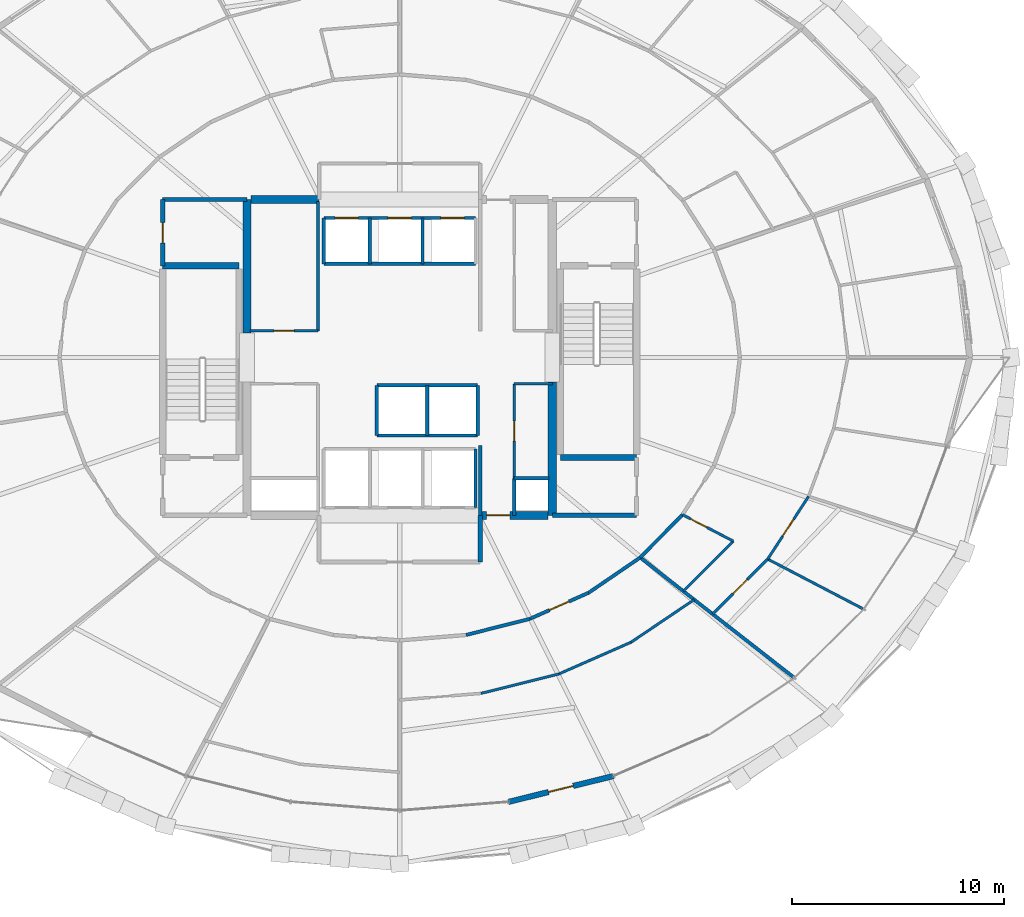
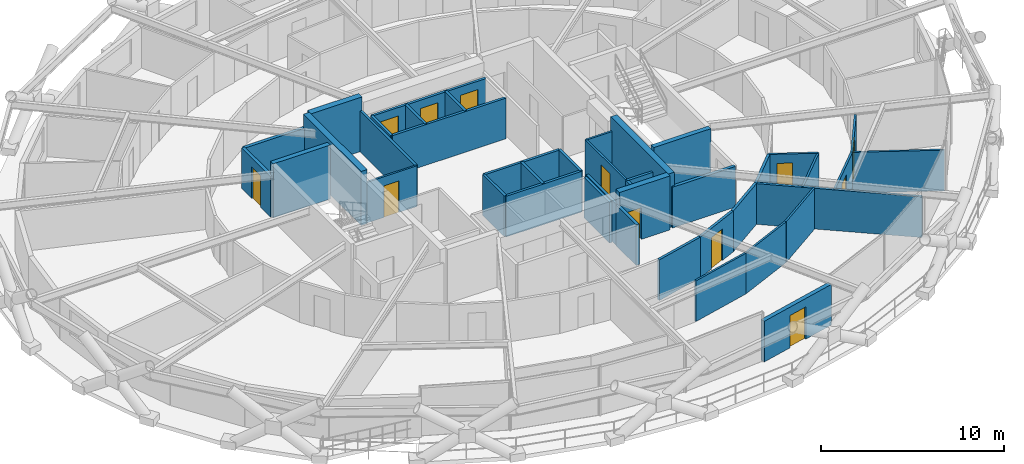
# One storey, part 15 of 21: 42 walls, 12 doors, 12 openings.
"""IFC4 building model written with IfcOpenShell, lengths in metres."""

import ifcopenshell
import ifcopenshell.guid

model = None  # the IFC model being written
_history = None  # IfcOwnerHistory: only IFC2X3 demands one
_inside = {}  # id of a spatial element -> (the spatial element, [elements in it])
_under = {}  # id of a project, library or spatial element -> (it, [spatial elements below it])
_declared = {}  # id of a project -> (the project, [libraries it declares])
_typed = {}  # id of a type object -> (the type object, [elements of that type])
_made_of = {}  # id of a material, layer set ... -> (it, [elements and type objects made of it])


def new_model(schema):
    """Start an empty IFC model of exactly this schema.

    Asked for "IFC4X3", IfcOpenShell would pick the latest addendum, in which some entities
    have other attributes; the version numbers below select the first issue.
    IFC2X3 requires an IfcOwnerHistory on every rooted entity: one is made here for all.
    """
    global model, _history
    if schema == "IFC4X3":
        model = ifcopenshell.file(schema_version=(4, 3, 0, 0))
    else:
        model = ifcopenshell.file(schema=schema)
    _inside.clear()
    _under.clear()
    _declared.clear()
    _typed.clear()
    _made_of.clear()
    _history = None
    if model.schema == "IFC2X3":
        org = make("IfcOrganization", Name="unknown")
        user = make(
            "IfcPersonAndOrganization",
            ThePerson=make("IfcPerson", FamilyName="unknown"),
            TheOrganization=org,
        )
        app = make(
            "IfcApplication",
            ApplicationDeveloper=org,
            Version="unknown",
            ApplicationFullName="unknown",
            ApplicationIdentifier="unknown",
        )
        _history = make(
            "IfcOwnerHistory",
            OwningUser=user,
            OwningApplication=app,
            ChangeAction="ADDED",
            CreationDate=0,
        )
    return model


def make(cls, **values):
    """One entity of the class cls with the attributes given. An attribute that is None is left unset."""
    return model.create_entity(
        cls, **{name: value for name, value in values.items() if value is not None}
    )


def rooted(cls, **values):
    """An entity with a GlobalId (a new one), such as an element, a storey or a relation."""
    return make(cls, GlobalId=ifcopenshell.guid.new(), OwnerHistory=_history, **values)


def si_unit(unit_type, name, prefix=None):
    """IfcSIUnit, for example si_unit("LENGTHUNIT", "METRE", prefix="MILLI")."""
    return make("IfcSIUnit", UnitType=unit_type, Prefix=prefix, Name=name)


def assignment(units):
    """IfcUnitAssignment: the units of a project."""
    return None if units is None else make("IfcUnitAssignment", Units=units)


def point(xyz):
    """IfcCartesianPoint."""
    return None if xyz is None else make("IfcCartesianPoint", Coordinates=xyz)


def direction(xyz):
    """IfcDirection."""
    return None if xyz is None else make("IfcDirection", DirectionRatios=xyz)


def frame(location, z_axis=None, x_axis=None):
    """IfcAxis2Placement3D, a coordinate frame: its origin and axes. An axis left out is left unset."""
    return make(
        "IfcAxis2Placement3D",
        Location=point(location),
        Axis=direction(z_axis),
        RefDirection=direction(x_axis),
    )


def frame_2d(location, x_axis=None):
    """IfcAxis2Placement2D, a coordinate frame in the plane: its origin and x axis."""
    return make(
        "IfcAxis2Placement2D", Location=point(location), RefDirection=direction(x_axis)
    )


def origin():
    """The frame at (0, 0, 0) with its axes left unset."""
    return frame((0.0, 0.0, 0.0))


def place(relative_to, where):
    """IfcLocalPlacement: puts the frame where relative to a parent placement (None: the world)."""
    return make(
        "IfcLocalPlacement", PlacementRelTo=relative_to, RelativePlacement=where
    )


def context(
    kind, dimensions, precision=None, world=None, true_north=None, identifier=None
):
    """IfcGeometricRepresentationContext, for example the 3D "Model" context."""
    return make(
        "IfcGeometricRepresentationContext",
        ContextIdentifier=identifier,
        ContextType=kind,
        CoordinateSpaceDimension=dimensions,
        Precision=precision,
        WorldCoordinateSystem=world,
        TrueNorth=true_north,
    )


def subcontext(parent, identifier, kind, view, scale=None):
    """IfcGeometricRepresentationSubContext, for example "Body" below "Model"."""
    return make(
        "IfcGeometricRepresentationSubContext",
        ContextIdentifier=identifier,
        ContextType=kind,
        ParentContext=parent,
        TargetScale=scale,
        TargetView=view,
    )


def project(units=None, contexts=None):
    """IfcProject with its units and contexts."""
    return rooted(
        "IfcProject",
        Name="project",
        RepresentationContexts=contexts,
        UnitsInContext=assignment(units),
    )


def spatial(cls, under=None, at=None, **own):
    """A site, building, storey or space (cls), placed at a placement, below another one or the project."""
    s = rooted(cls, ObjectPlacement=at, **own)
    if under is not None:
        _under.setdefault(under.id(), (under, []))[1].append(s)
    return s


def profile(cls, at=None, kind="AREA", **sizes):
    """A parametric profile (cls). Its sizes go by their IFC names, for example OverallWidth=200.0."""
    return make(cls, ProfileType=kind, Position=at, **sizes)


def rectangle(**sizes):
    """IfcRectangleProfileDef."""
    return profile("IfcRectangleProfileDef", **sizes)


def extrude(swept, where, along, depth):
    """IfcExtrudedAreaSolid: the profile swept, set in the frame where, extruded along a direction by depth."""
    return make(
        "IfcExtrudedAreaSolid",
        SweptArea=swept,
        Position=where,
        ExtrudedDirection=direction(along),
        Depth=depth,
    )


def shape(context_of_items, identifier, shape_type, items):
    """IfcShapeRepresentation: the items that make up one representation, for example the "Body"."""
    return make(
        "IfcShapeRepresentation",
        ContextOfItems=context_of_items,
        RepresentationIdentifier=identifier,
        RepresentationType=shape_type,
        Items=items,
    )


def material(Name=None, Category=None):
    """IfcMaterial."""
    return make("IfcMaterial", Name=Name, Category=Category)


def layer(
    of_material, thickness, ventilated=None, Name=None, Category=None, Priority=None
):
    """IfcMaterialLayer: one layer of a wall or slab, of a material (None: an air gap)."""
    return make(
        "IfcMaterialLayer",
        Material=of_material,
        LayerThickness=thickness,
        IsVentilated=ventilated,
        Name=Name,
        Category=Category,
        Priority=Priority,
    )


def layer_set(layers, Name=None):
    """IfcMaterialLayerSet."""
    return make("IfcMaterialLayerSet", MaterialLayers=layers, LayerSetName=Name)


def made_of(thing, what):
    """Note that an element or type object is made of a material, layer set ...; save() writes the relation."""
    if what is not None:
        _made_of.setdefault(what.id(), (what, []))[1].append(thing)
    return thing


def type_object(cls, material=None, **own):
    """A type object (cls), such as IfcWallType, which elements share."""
    return made_of(rooted(cls, **own), material)


def element(
    cls,
    number,
    at=None,
    inside=None,
    cuts=None,
    type_object=None,
    material=None,
    context=None,
    identifier="Body",
    shape_type=None,
    held_by="IfcProductDefinitionShape",
    body=None,
    shapes=None,
    **own,
):
    """One element of the class cls, such as IfcWall. Its Tag is "e" and its number.

    at: its placement. inside: the storey or other place that contains it. cuts: it is an
    opening in that element (IfcRelVoidsElement). A single representation is given by context,
    identifier, shape_type and body (its items); several are given by shapes. held_by: the class
    of the entity that holds the representations. save() writes the other relations.
    """
    e = rooted(cls, Tag="e%d" % number, ObjectPlacement=at, **own)
    if body is not None:
        shapes = [shape(context, identifier, shape_type, body)]
    if shapes is not None:
        e.Representation = make(held_by, Representations=shapes)
    if inside is not None:
        _inside.setdefault(inside.id(), (inside, []))[1].append(e)
    if cuts is not None:
        rooted(
            "IfcRelVoidsElement", RelatingBuildingElement=cuts, RelatedOpeningElement=e
        )
    if type_object is not None:
        _typed.setdefault(type_object.id(), (type_object, []))[1].append(e)
    return made_of(e, material)


def fill(opening, filler):
    """IfcRelFillsElement: the door or window that sits in an opening."""
    return rooted(
        "IfcRelFillsElement",
        RelatingOpeningElement=opening,
        RelatedBuildingElement=filler,
    )


def aggregate(whole, parts):
    """IfcRelAggregates: a whole, such as a stair, and the parts it consists of."""
    return rooted("IfcRelAggregates", RelatingObject=whole, RelatedObjects=parts)


def save(model, path):
    """Write the relations noted so far, then the file.

    IfcRelAggregates (storeys below a building ...), IfcRelContainedInSpatialStructure (elements
    in a storey), IfcRelDefinesByType, IfcRelAssociatesMaterial and IfcRelDeclares: one each for
    every whole, place, type object, material and project.
    """
    for whole, parts in _under.values():
        aggregate(whole, parts)
    for where, things in _inside.values():
        rooted(
            "IfcRelContainedInSpatialStructure",
            RelatedElements=things,
            RelatingStructure=where,
        )
    for kind, things in _typed.values():
        rooted("IfcRelDefinesByType", RelatedObjects=things, RelatingType=kind)
    for what, things in _made_of.values():
        rooted("IfcRelAssociatesMaterial", RelatedObjects=things, RelatingMaterial=what)
    for by, libraries in _declared.values():
        rooted("IfcRelDeclares", RelatingContext=by, RelatedDefinitions=libraries)
    model.write(path)


model = new_model("IFC4")

# Units and contexts
model_context = context("Model", 3, precision=1e-05, world=origin(), true_north=direction((0.0, 1.0)))
body_context = subcontext(model_context, "Body", "Model", "MODEL_VIEW")
ifc_project = project(units=[si_unit("LENGTHUNIT", "METRE"), si_unit("AREAUNIT", "SQUARE_METRE"), si_unit("VOLUMEUNIT", "CUBIC_METRE"), si_unit("PLANEANGLEUNIT", "RADIAN"), si_unit("MASSUNIT", "GRAM", prefix="KILO")], contexts=[model_context])

# Site, building, storey
site_placement = place(None, origin())
site = spatial("IfcSite", under=ifc_project, at=site_placement, CompositionType="ELEMENT")
building_placement = place(site_placement, origin())
building = spatial("IfcBuilding", under=site, at=building_placement, Name="Veldorina Hangang Commons", CompositionType="ELEMENT")
storey_placement = place(building_placement, frame((0.0, 0.0, 98.800048828125)))
storey = spatial("IfcBuildingStorey", under=building, at=storey_placement, Name="L25", CompositionType="ELEMENT", Elevation=98.800048828125)

# Walls
ifc_material_1 = material(Name="Concrete C70/85", Category="concrete")
ifc_layer_1 = layer(ifc_material_1, 0.3798828125)
ifc_layer_set_1 = layer_set([ifc_layer_1], Name="Concrete C70/85")
wall_type_1 = type_object("IfcWallType", Name="CW-RC380-C70", PredefinedType="SHEAR", material=ifc_layer_set_1)
for number, where, z_axis, x_axis, name in (
    (1, (24.800048828125, 25.14990234375, 0.0), (0.0, 0.0, 1.0), (0.0, 1.0, 0.0), "L25 W north core shear wall"),
    (2, (39.199951171875, 16.550048828125, 0.0), (0.0, 0.0, 1.0), (0.0, 1.0, 0.0), "L25 E south core shear wall"),
):
    element("IfcWall", number, at=place(storey_placement, frame(where, z_axis=z_axis, x_axis=x_axis)), inside=storey, type_object=wall_type_1, Name=name, PredefinedType="SHEAR", context=body_context, shape_type="SweptSolid", body=[
        extrude(rectangle(XDim=6.300048828125, YDim=0.3798828125, at=frame_2d((3.14990234375, 0.0))), origin(), (0.0, 0.0, 1.0), 3.599853515625),
    ])

# Wall, opening, door
wall_1_placement = place(storey_placement, frame((35.800048828125, 16.550048828125, 0.0), z_axis=(0.0, 0.0, 1.0), x_axis=(1.0, 0.0, 0.0)))
wall_1 = element("IfcWall", 3, at=wall_1_placement, inside=storey, type_object=wall_type_1, Name="L25 south-east core shear wall", PredefinedType="SHEAR", context=body_context, shape_type="SweptSolid", body=[
    extrude(rectangle(XDim=3.2099609375, YDim=0.3798828125, at=frame_2d((1.60498046875, 0.0))), origin(), (0.0, 0.0, 1.0), 3.599853515625),
])
opening_1_placement = place(wall_1_placement, frame((0.300048828125, 0.0, 0.0)))
opening_1 = element("IfcOpeningElement", 4, at=opening_1_placement, cuts=wall_1, Name="Opening D-08", PredefinedType="OPENING", context=body_context, shape_type="SweptSolid", body=[
    extrude(rectangle(XDim=1.10009765625, YDim=2.10009765625, at=frame_2d((0.550048828125, 1.050048828125))), frame((0.0, 0.199951171875, 0.0), z_axis=(0.0, -1.0, 0.0), x_axis=(1.0, 0.0, 0.0)), (0.0, 0.0, 1.0), 0.39990234375),
])
ifc_material_2 = material(Name="Steel Fire-Rated Smoke Seal", Category="steel")
door_type_1 = type_object("IfcDoorType", Name="DR-FIRE-1100", OperationType="SINGLE_SWING_RIGHT", PredefinedType="DOOR", material=ifc_material_2)
door_1_placement = place(opening_1_placement, origin())
door_1 = element("IfcDoor", 5, at=door_1_placement, inside=storey, type_object=door_type_1, Name="L25 central lift lobby south corridor door", OperationType="SINGLE_SWING_RIGHT", OverallHeight=2.10009765625, OverallWidth=1.10009765625, PredefinedType="DOOR", context=body_context, shape_type="SweptSolid", body=[
    extrude(rectangle(XDim=1.10009765625, YDim=2.10009765625, at=frame_2d((0.550048828125, 1.050048828125))), frame((0.0, 0.02490234375, 0.0), z_axis=(0.0, -1.0, 0.0), x_axis=(1.0, 0.0, 0.0)), (0.0, 0.0, 1.0), 0.050048828125),
])
fill(opening_1, door_1)

# Wall
wall_2_placement = place(storey_placement, frame((24.989990234375, 31.449951171875, 0.0), z_axis=(0.0, 0.0, 1.0), x_axis=(1.0, 0.0, 0.0)))
element("IfcWall", 6, at=wall_2_placement, inside=storey, type_object=wall_type_1, Name="L25 north-west core shear wall", PredefinedType="SHEAR", context=body_context, shape_type="SweptSolid", body=[
    extrude(rectangle(XDim=3.2099609375, YDim=0.3798828125, at=frame_2d((1.60498046875, 0.0))), origin(), (0.0, 0.0, 1.0), 3.599853515625),
])

# Wall, opening, door
ifc_material_3 = material(Name="Stone Roman Travertine", Category="masonry")
ifc_layer_2 = layer(ifc_material_3, 0.260009765625)
ifc_layer_set_2 = layer_set([ifc_layer_2], Name="Stone Roman Travertine")
wall_type_2 = type_object("IfcWallType", Name="EW-LOGGIA-260", PredefinedType="STANDARD", material=ifc_layer_set_2)
wall_3_placement = place(storey_placement, frame((37.1376953125, 3.0322265625, 0.0), z_axis=(0.0, 0.0, 1.0), x_axis=(0.970991743562, 0.239113014982, 0.0)))
wall_3 = element("IfcWall", 7, at=wall_3_placement, inside=storey, type_object=wall_type_2, Name="L25 sky-garden loggia portal wall 25", PredefinedType="STANDARD", context=body_context, shape_type="SweptSolid", body=[
    extrude(rectangle(XDim=5.087890625, YDim=0.260009765625, at=frame_2d((2.5439453125, 0.0))), origin(), (0.0, 0.0, 1.0), 2.7099609375),
])
opening_2_placement = place(wall_3_placement, frame((1.94384765625, 0.0, 0.0)))
opening_2 = element("IfcOpeningElement", 8, at=opening_2_placement, cuts=wall_3, Name="Opening BD-1200", PredefinedType="OPENING", context=body_context, shape_type="SweptSolid", body=[
    extrude(rectangle(XDim=1.199951171875, YDim=2.14990234375, at=frame_2d((0.60009765625, 1.074951171875))), frame((0.0, 0.14013671875, 0.0), z_axis=(0.0, -1.0, 0.0), x_axis=(1.0, 0.0, 0.0)), (0.0, 0.0, 1.0), 0.280029296875),
])
ifc_material_4 = material(Name="Glass Thermal Aluminium Frame", Category="aluminium")
door_type_2 = type_object("IfcDoorType", Name="DR-EXT-LOG1200", OperationType="SINGLE_SWING_LEFT", PredefinedType="DOOR", material=ifc_material_4)
door_2_placement = place(opening_2_placement, origin())
door_2 = element("IfcDoor", 9, at=door_2_placement, inside=storey, type_object=door_type_2, Name="L25 loggia glazed exterior door 25", OperationType="SINGLE_SWING_RIGHT", OverallHeight=2.14990234375, OverallWidth=1.199951171875, PredefinedType="DOOR", context=body_context, shape_type="SweptSolid", body=[
    extrude(rectangle(XDim=1.199951171875, YDim=2.14990234375, at=frame_2d((0.60009765625, 1.074951171875))), frame((0.0, 0.02490234375, 0.0), z_axis=(0.0, -1.0, 0.0), x_axis=(1.0, 0.0, 0.0)), (0.0, 0.0, 1.0), 0.050048828125),
])
fill(opening_2, door_2)

# Walls
ifc_material_5 = material(Name="Concrete C50/60", Category="concrete")
ifc_layer_3 = layer(ifc_material_5, 0.300048828125)
ifc_layer_set_3 = layer_set([ifc_layer_3], Name="Concrete C50/60")
wall_type_3 = type_object("IfcWallType", Name="SW-STAIR-300", PredefinedType="SHEAR", material=ifc_layer_set_3)
for number, where, z_axis, x_axis, name in (
    (10, (20.820068359375, 28.320068359375, 0.0), (0.0, 0.0, 1.0), (1.0, 0.0, 0.0), "L25 ST1 north stair shear wall"),
    (11, (39.580078125, 19.280029296875, 0.0), (0.0, 0.0, 1.0), (1.0, 0.0, 0.0), "L25 ST2 south stair shear wall"),
):
    element("IfcWall", number, at=place(storey_placement, frame(where, z_axis=z_axis, x_axis=x_axis)), inside=storey, type_object=wall_type_3, Name=name, PredefinedType="SHEAR", context=body_context, shape_type="SweptSolid", body=[
        extrude(rectangle(XDim=3.599853515625, YDim=0.300048828125, at=frame_2d((1.7998046875, 0.0))), origin(), (0.0, 0.0, 1.0), 3.599853515625),
    ])
ifc_material_6 = material(Name="Gypsum Fire-Rated Twin Stud Wall", Category="gypsum")
ifc_layer_4 = layer(ifc_material_6, 0.159912109375)
ifc_layer_set_4 = layer_set([ifc_layer_4], Name="Gypsum Fire-Rated Twin Stud Wall")
wall_type_4 = type_object("IfcWallType", Name="WL-FIRE-160", PredefinedType="SOLIDWALL", material=ifc_layer_set_4)
wall_4_placement = place(storey_placement, frame((35.800048828125, 16.550048828125, 0.0), z_axis=(0.0, 0.0, 1.0), x_axis=(0.0, 1.0, 0.0)))
element("IfcWall", 12, at=wall_4_placement, inside=storey, type_object=wall_type_4, Name="L25 Lift passage SW wall 009", PredefinedType="SOLIDWALL", context=body_context, shape_type="SweptSolid", body=[
    extrude(rectangle(XDim=3.300048828125, YDim=0.159912109375, at=frame_2d((1.64990234375, 0.0))), origin(), (0.0, 0.0, 1.0), 2.7099609375),
])
wall_5_placement = place(storey_placement, frame((37.39990234375, 16.550048828125, 0.0), z_axis=(0.0, 0.0, 1.0), x_axis=(0.0, 1.0, 0.0)))
element("IfcWall", 13, at=wall_5_placement, inside=storey, type_object=wall_type_4, Name="L25 Lift passage SE stub 010", PredefinedType="SOLIDWALL", context=body_context, shape_type="SweptSolid", body=[
    extrude(rectangle(XDim=1.75, YDim=0.159912109375, at=frame_2d((0.875, 0.0))), origin(), (0.0, 0.0, 1.0), 2.7099609375),
])

# Wall, openings, doors
wall_6_placement = place(storey_placement, frame((28.419921875, 30.580078125, 0.0), z_axis=(0.0, 0.0, 1.0), x_axis=(1.0, 0.0, 0.0)))
wall_6 = element("IfcWall", 14, at=wall_6_placement, inside=storey, type_object=wall_type_4, Name="L25 Low-bank front shaft wall 015", PredefinedType="SOLIDWALL", context=body_context, shape_type="SweptSolid", body=[
    extrude(rectangle(XDim=7.16015625, YDim=0.159912109375, at=frame_2d((3.580078125, 0.0))), origin(), (0.0, 0.0, 1.0), 2.7099609375),
])
opening_3_placement = place(wall_6_placement, frame((0.530029296875, 0.0, 0.0)))
opening_3 = element("IfcOpeningElement", 15, at=opening_3_placement, cuts=wall_6, Name="Opening LD-01", PredefinedType="OPENING", context=body_context, shape_type="SweptSolid", body=[
    extrude(rectangle(XDim=1.10009765625, YDim=2.14990234375, at=frame_2d((0.550048828125, 1.074951171875))), frame((0.0, 0.08984375, 0.0), z_axis=(0.0, -1.0, 0.0), x_axis=(1.0, 0.0, 0.0)), (0.0, 0.0, 1.0), 0.179931640625),
])
opening_4_placement = place(wall_6_placement, frame((3.030029296875, 0.0, 0.0)))
opening_4 = element("IfcOpeningElement", 16, at=opening_4_placement, cuts=wall_6, Name="Opening LD-01", PredefinedType="OPENING", context=body_context, shape_type="SweptSolid", body=[
    extrude(rectangle(XDim=1.10009765625, YDim=2.14990234375, at=frame_2d((0.550048828125, 1.074951171875))), frame((0.0, 0.08984375, 0.0), z_axis=(0.0, -1.0, 0.0), x_axis=(1.0, 0.0, 0.0)), (0.0, 0.0, 1.0), 0.179931640625),
])
opening_5_placement = place(wall_6_placement, frame((5.530029296875, 0.0, 0.0)))
opening_5 = element("IfcOpeningElement", 17, at=opening_5_placement, cuts=wall_6, Name="Opening LD-01", PredefinedType="OPENING", context=body_context, shape_type="SweptSolid", body=[
    extrude(rectangle(XDim=1.10009765625, YDim=2.14990234375, at=frame_2d((0.550048828125, 1.074951171875))), frame((0.0, 0.08984375, 0.0), z_axis=(0.0, -1.0, 0.0), x_axis=(1.0, 0.0, 0.0)), (0.0, 0.0, 1.0), 0.179931640625),
])
ifc_material_7 = material(Name="Stainless Steel Brushed Lift Door", Category="steel")
door_type_3 = type_object("IfcDoorType", Name="DR-LIFT-1100", OperationType="SLIDING_TO_LEFT", PredefinedType="DOOR", material=ifc_material_7)
door_3_placement = place(opening_3_placement, origin())
door_3 = element("IfcDoor", 18, at=door_3_placement, inside=storey, type_object=door_type_3, Name="L25 Lift PL-L1 landing door 006", OperationType="SLIDING_TO_LEFT", OverallHeight=2.14990234375, OverallWidth=1.10009765625, PredefinedType="DOOR", context=body_context, shape_type="SweptSolid", body=[
    extrude(rectangle(XDim=1.10009765625, YDim=2.14990234375, at=frame_2d((0.550048828125, 1.074951171875))), frame((0.0, 0.02490234375, 0.0), z_axis=(0.0, -1.0, 0.0), x_axis=(1.0, 0.0, 0.0)), (0.0, 0.0, 1.0), 0.050048828125),
])
fill(opening_3, door_3)
door_4_placement = place(opening_4_placement, origin())
door_4 = element("IfcDoor", 19, at=door_4_placement, inside=storey, type_object=door_type_3, Name="L25 Lift PL-L2 landing door 007", OperationType="SLIDING_TO_LEFT", OverallHeight=2.14990234375, OverallWidth=1.10009765625, PredefinedType="DOOR", context=body_context, shape_type="SweptSolid", body=[
    extrude(rectangle(XDim=1.10009765625, YDim=2.14990234375, at=frame_2d((0.550048828125, 1.074951171875))), frame((0.0, 0.02490234375, 0.0), z_axis=(0.0, -1.0, 0.0), x_axis=(1.0, 0.0, 0.0)), (0.0, 0.0, 1.0), 0.050048828125),
])
fill(opening_4, door_4)
door_5_placement = place(opening_5_placement, origin())
door_5 = element("IfcDoor", 20, at=door_5_placement, inside=storey, type_object=door_type_3, Name="L25 Lift PL-L3 landing door 008", OperationType="SLIDING_TO_LEFT", OverallHeight=2.14990234375, OverallWidth=1.10009765625, PredefinedType="DOOR", context=body_context, shape_type="SweptSolid", body=[
    extrude(rectangle(XDim=1.10009765625, YDim=2.14990234375, at=frame_2d((0.550048828125, 1.074951171875))), frame((0.0, 0.02490234375, 0.0), z_axis=(0.0, -1.0, 0.0), x_axis=(1.0, 0.0, 0.0)), (0.0, 0.0, 1.0), 0.050048828125),
])
fill(opening_5, door_5)

# Walls
wall_7_placement = place(storey_placement, frame((28.419921875, 28.419921875, 0.0), z_axis=(0.0, 0.0, 1.0), x_axis=(1.0, 0.0, 0.0)))
element("IfcWall", 21, at=wall_7_placement, inside=storey, type_object=wall_type_4, Name="L25 Low-bank rear shaft wall 016", PredefinedType="SOLIDWALL", context=body_context, shape_type="SweptSolid", body=[
    extrude(rectangle(XDim=7.16015625, YDim=0.159912109375, at=frame_2d((3.580078125, 0.0))), origin(), (0.0, 0.0, 1.0), 2.7099609375),
])
for number, where, z_axis, x_axis, name in (
    (22, (28.419921875, 28.419921875, 0.0), (0.0, 0.0, 1.0), (0.0, 1.0, 0.0), "L25 PL-L1 west shaft wall 017"),
    (23, (30.580078125, 28.419921875, 0.0), (0.0, 0.0, 1.0), (0.0, 1.0, 0.0), "L25 PL-L1 east shaft wall 018"),
    (24, (33.080078125, 28.419921875, 0.0), (0.0, 0.0, 1.0), (0.0, 1.0, 0.0), "L25 PL-L2 east shaft wall 019"),
):
    element("IfcWall", number, at=place(storey_placement, frame(where, z_axis=z_axis, x_axis=x_axis)), inside=storey, type_object=wall_type_4, Name=name, PredefinedType="SOLIDWALL", context=body_context, shape_type="SweptSolid", body=[
        extrude(rectangle(XDim=2.16015625, YDim=0.159912109375, at=frame_2d((1.080078125, 0.0))), origin(), (0.0, 0.0, 1.0), 2.7099609375),
    ])
for number, where, z_axis, x_axis, name in (
    (25, (30.919921875, 22.679931640625, 0.0), (0.0, 0.0, 1.0), (1.0, 0.0, 0.0), "L25 Shuttle-high front shaft wall 021"),
    (26, (30.919921875, 20.320068359375, 0.0), (0.0, 0.0, 1.0), (1.0, 0.0, 0.0), "L25 Shuttle-high rear shaft wall 022"),
):
    element("IfcWall", number, at=place(storey_placement, frame(where, z_axis=z_axis, x_axis=x_axis)), inside=storey, type_object=wall_type_4, Name=name, PredefinedType="SOLIDWALL", context=body_context, shape_type="SweptSolid", body=[
        extrude(rectangle(XDim=4.760009765625, YDim=0.159912109375, at=frame_2d((2.3798828125, 0.0))), origin(), (0.0, 0.0, 1.0), 2.7099609375),
    ])
for number, where, z_axis, x_axis, name in (
    (27, (30.919921875, 20.320068359375, 0.0), (0.0, 0.0, 1.0), (0.0, 1.0, 0.0), "L25 SL-1 west shaft wall 023"),
    (28, (33.300048828125, 20.320068359375, 0.0), (0.0, 0.0, 1.0), (0.0, 1.0, 0.0), "L25 SL-1 east shaft wall 024"),
    (29, (35.679931640625, 20.320068359375, 0.0), (0.0, 0.0, 1.0), (0.0, 1.0, 0.0), "L25 SL-2 east shaft wall 025"),
):
    element("IfcWall", number, at=place(storey_placement, frame(where, z_axis=z_axis, x_axis=x_axis)), inside=storey, type_object=wall_type_4, Name=name, PredefinedType="SOLIDWALL", context=body_context, shape_type="SweptSolid", body=[
        extrude(rectangle(XDim=2.35986328125, YDim=0.159912109375, at=frame_2d((1.179931640625, 0.0))), origin(), (0.0, 0.0, 1.0), 2.7099609375),
    ])
wall_8_placement = place(storey_placement, frame((35.580078125, 16.919921875, 0.0), z_axis=(0.0, 0.0, 1.0), x_axis=(0.0, 1.0, 0.0)))
element("IfcWall", 30, at=wall_8_placement, inside=storey, type_object=wall_type_4, Name="L25 EVL-1 east shaft wall 031", PredefinedType="SOLIDWALL", context=body_context, shape_type="SweptSolid", body=[
    extrude(rectangle(XDim=2.760009765625, YDim=0.159912109375, at=frame_2d((1.3798828125, 0.0))), origin(), (0.0, 0.0, 1.0), 2.7099609375),
])
wall_9_placement = place(storey_placement, frame((37.39990234375, 18.300048828125, 0.0), z_axis=(0.0, 0.0, 1.0), x_axis=(1.0, 0.0, 0.0)))
element("IfcWall", 31, at=wall_9_placement, inside=storey, type_object=wall_type_4, Name="L25 Plumbing riser wall 037", PredefinedType="SOLIDWALL", context=body_context, shape_type="SweptSolid", body=[
    extrude(rectangle(XDim=1.650146484375, YDim=0.159912109375, at=frame_2d((0.8251953125, 0.0))), origin(), (0.0, 0.0, 1.0), 2.7099609375),
])
wall_10_placement = place(storey_placement, frame((28.14990234375, 25.25, 0.0), z_axis=(0.0, 0.0, 1.0), x_axis=(0.0, 1.0, 0.0)))
element("IfcWall", 32, at=wall_10_placement, inside=storey, type_object=wall_type_4, Name="L25 NW core inner wall 038", PredefinedType="SOLIDWALL", context=body_context, shape_type="SweptSolid", body=[
    extrude(rectangle(XDim=6.10009765625, YDim=0.159912109375, at=frame_2d((3.050048828125, 0.0))), origin(), (0.0, 0.0, 1.0), 2.7099609375),
])
wall_11_placement = place(storey_placement, frame((35.131103515625, 10.906494140625, 0.0), z_axis=(0.0, 0.0, 1.0), x_axis=(0.969608333194, 0.244662380029, 0.0)))
element("IfcWall", 33, at=wall_11_placement, inside=storey, type_object=wall_type_4, Name="L25 Corridor outer wall 25 070", PredefinedType="SOLIDWALL", context=body_context, shape_type="SweptSolid", body=[
    extrude(rectangle(XDim=3.10546875, YDim=0.159912109375, at=frame_2d((1.552734375, 0.0))), origin(), (0.0, 0.0, 1.0), 2.7099609375),
])

# Wall, opening, door
wall_12_placement = place(storey_placement, frame((38.14208984375, 11.666259765625, 0.0), z_axis=(0.0, 0.0, 1.0), x_axis=(0.913768445178, 0.406235434936, 0.0)))
wall_12 = element("IfcWall", 34, at=wall_12_placement, inside=storey, type_object=wall_type_4, Name="L25 Corridor outer wall 26 071", PredefinedType="SOLIDWALL", context=body_context, shape_type="SweptSolid", body=[
    extrude(rectangle(XDim=3.036865234375, YDim=0.159912109375, at=frame_2d((1.5185546875, 0.0))), origin(), (0.0, 0.0, 1.0), 2.7099609375),
])
opening_6_placement = place(wall_12_placement, frame((1.018310546875, 0.0, 0.0)))
opening_6 = element("IfcOpeningElement", 35, at=opening_6_placement, cuts=wall_12, Name="Opening D-05", PredefinedType="OPENING", context=body_context, shape_type="SweptSolid", body=[
    extrude(rectangle(XDim=1.0, YDim=2.10009765625, at=frame_2d((0.5, 1.050048828125))), frame((0.0, 0.08984375, 0.0), z_axis=(0.0, -1.0, 0.0), x_axis=(1.0, 0.0, 0.0)), (0.0, 0.0, 1.0), 0.179931640625),
])
ifc_material_8 = material(Name="Timber Solid Core Acoustic", Category="wood")
door_type_4 = type_object("IfcDoorType", Name="DR-INT-1000", OperationType="SINGLE_SWING_RIGHT", PredefinedType="DOOR", material=ifc_material_8)
door_6_placement = place(opening_6_placement, origin())
door_6 = element("IfcDoor", 36, at=door_6_placement, inside=storey, type_object=door_type_4, Name="L25 Commons alcove door 017", OperationType="SINGLE_SWING_LEFT", OverallHeight=2.10009765625, OverallWidth=1.0, PredefinedType="DOOR", context=body_context, shape_type="SweptSolid", body=[
    extrude(rectangle(XDim=1.0, YDim=2.10009765625, at=frame_2d((0.5, 1.050048828125))), frame((0.0, 0.02490234375, 0.0), z_axis=(0.0, -1.0, 0.0), x_axis=(1.0, 0.0, 0.0)), (0.0, 0.0, 1.0), 0.050048828125),
])
fill(opening_6, door_6)

# Walls
wall_13_placement = place(storey_placement, frame((40.9169921875, 12.89990234375, 0.0), z_axis=(0.0, 0.0, 1.0), x_axis=(0.825929039072, 0.563774088104, 0.0)))
element("IfcWall", 37, at=wall_13_placement, inside=storey, type_object=wall_type_4, Name="L25 Corridor outer wall 27 072", PredefinedType="SOLIDWALL", context=body_context, shape_type="SweptSolid", body=[
    extrude(rectangle(XDim=2.94482421875, YDim=0.159912109375, at=frame_2d((1.472412109375, 0.0))), origin(), (0.0, 0.0, 1.0), 2.7099609375),
])
wall_14_placement = place(storey_placement, frame((43.34912109375, 14.56005859375, 0.0), z_axis=(0.0, 0.0, 1.0), x_axis=(0.702366174226, 0.711815816981, 0.0)))
element("IfcWall", 38, at=wall_14_placement, inside=storey, type_object=wall_type_4, Name="L25 Corridor outer wall 28 073", PredefinedType="SOLIDWALL", context=body_context, shape_type="SweptSolid", body=[
    extrude(rectangle(XDim=2.842041015625, YDim=0.159912109375, at=frame_2d((1.4208984375, 0.0))), origin(), (0.0, 0.0, 1.0), 2.7099609375),
])
wall_15_placement = place(storey_placement, frame((43.34912109375, 14.56005859375, 0.0), z_axis=(0.0, 0.0, 1.0), x_axis=(0.788270771637, -0.615328522484, 0.0)))
element("IfcWall", 39, at=wall_15_placement, inside=storey, type_object=wall_type_4, Name="L25 Unit party wall 28 082", PredefinedType="SOLIDWALL", context=body_context, shape_type="SweptSolid", body=[
    extrude(rectangle(XDim=9.176025390625, YDim=0.159912109375, at=frame_2d((4.587890625, 0.0))), origin(), (0.0, 0.0, 1.0), 2.7099609375),
])

# Wall, opening, door
ifc_material_9 = material(Name="Concrete Blockwork Fire Wall C30/37", Category="masonry")
ifc_layer_5 = layer(ifc_material_9, 0.199951171875)
ifc_layer_set_5 = layer_set([ifc_layer_5], Name="Concrete Blockwork Fire Wall C30/37")
wall_type_5 = type_object("IfcWallType", Name="WL-FIRE-200", PredefinedType="SOLIDWALL", material=ifc_layer_set_5)
wall_16_placement = place(storey_placement, frame((20.820068359375, 28.320068359375, 0.0), z_axis=(0.0, 0.0, 1.0), x_axis=(0.0, 1.0, 0.0)))
wall_16 = element("IfcWall", 40, at=wall_16_placement, inside=storey, type_object=wall_type_5, Name="L25 NW core room outer wall 005", PredefinedType="SOLIDWALL", context=body_context, shape_type="SweptSolid", body=[
    extrude(rectangle(XDim=3.1298828125, YDim=0.199951171875, at=frame_2d((1.56494140625, 0.0))), origin(), (0.0, 0.0, 1.0), 2.7099609375),
])
opening_7_placement = place(wall_16_placement, frame((1.090087890625, 0.0, 0.0)))
opening_7 = element("IfcOpeningElement", 41, at=opening_7_placement, cuts=wall_16, Name="Opening D-04", PredefinedType="OPENING", context=body_context, shape_type="SweptSolid", body=[
    extrude(rectangle(XDim=0.949951171875, YDim=2.10009765625, at=frame_2d((0.47509765625, 1.050048828125))), frame((0.0, 0.10986328125, 0.0), z_axis=(0.0, -1.0, 0.0), x_axis=(1.0, 0.0, 0.0)), (0.0, 0.0, 1.0), 0.219970703125),
])
ifc_material_10 = material(Name="Timber Accessible Flush Leaf", Category="wood")
door_type_5 = type_object("IfcDoorType", Name="DR-ACC-950", OperationType="SINGLE_SWING_LEFT", PredefinedType="DOOR", material=ifc_material_10)
door_7_placement = place(opening_7_placement, origin())
door_7 = element("IfcDoor", 42, at=door_7_placement, inside=storey, type_object=door_type_5, Name="L25 NW core WC door 003", OperationType="SINGLE_SWING_LEFT", OverallHeight=2.10009765625, OverallWidth=0.949951171875, PredefinedType="DOOR", context=body_context, shape_type="SweptSolid", body=[
    extrude(rectangle(XDim=0.949951171875, YDim=2.10009765625, at=frame_2d((0.47509765625, 1.050048828125))), frame((0.0, 0.02490234375, 0.0), z_axis=(0.0, -1.0, 0.0), x_axis=(1.0, 0.0, 0.0)), (0.0, 0.0, 1.0), 0.050048828125),
])
fill(opening_7, door_7)

# Walls
for number, where, z_axis, x_axis, name in (
    (43, (20.820068359375, 31.449951171875, 0.0), (0.0, 0.0, 1.0), (1.0, 0.0, 0.0), "L25 NW core room north wall 006"),
    (44, (39.199951171875, 16.550048828125, 0.0), (0.0, 0.0, 1.0), (1.0, 0.0, 0.0), "L25 SE core room south wall 008"),
):
    element("IfcWall", number, at=place(storey_placement, frame(where, z_axis=z_axis, x_axis=x_axis)), inside=storey, type_object=wall_type_5, Name=name, PredefinedType="SOLIDWALL", context=body_context, shape_type="SweptSolid", body=[
        extrude(rectangle(XDim=3.97998046875, YDim=0.199951171875, at=frame_2d((1.989990234375, 0.0))), origin(), (0.0, 0.0, 1.0), 2.7099609375),
    ])
wall_17_placement = place(storey_placement, frame((35.800048828125, 14.35009765625, 0.0), z_axis=(0.0, 0.0, 1.0), x_axis=(0.0, 1.0, 0.0)))
element("IfcWall", 45, at=wall_17_placement, inside=storey, type_object=wall_type_5, Name="L25 FF lobby east wall 013", PredefinedType="SOLIDWALL", context=body_context, shape_type="SweptSolid", body=[
    extrude(rectangle(XDim=2.199951171875, YDim=0.199951171875, at=frame_2d((1.10009765625, 0.0))), origin(), (0.0, 0.0, 1.0), 2.7099609375),
])

# Wall, opening, door
ifc_material_11 = material(Name="Gypsum Acoustic Stud Partition", Category="gypsum")
ifc_layer_6 = layer(ifc_material_11, 0.1201171875)
ifc_layer_set_6 = layer_set([ifc_layer_6], Name="Gypsum Acoustic Stud Partition")
wall_type_6 = type_object("IfcWallType", Name="WL-PART-120", PredefinedType="PARTITIONING", material=ifc_layer_set_6)
wall_18_placement = place(storey_placement, frame((24.949951171875, 25.25, 0.0), z_axis=(0.0, 0.0, 1.0), x_axis=(1.0, 0.0, 0.0)))
wall_18 = element("IfcWall", 46, at=wall_18_placement, inside=storey, type_object=wall_type_6, Name="L25 NW service south wall 039", PredefinedType="PARTITIONING", context=body_context, shape_type="SweptSolid", body=[
    extrude(rectangle(XDim=3.199951171875, YDim=0.1201171875, at=frame_2d((1.60009765625, 0.0))), origin(), (0.0, 0.0, 1.0), 2.7099609375),
])
opening_8_placement = place(wall_18_placement, frame((1.125, 0.0, 0.0)))
opening_8 = element("IfcOpeningElement", 47, at=opening_8_placement, cuts=wall_18, Name="Opening D-02", PredefinedType="OPENING", context=body_context, shape_type="SweptSolid", body=[
    extrude(rectangle(XDim=0.949951171875, YDim=2.10009765625, at=frame_2d((0.47509765625, 1.050048828125))), frame((0.0, 0.070068359375, 0.0), z_axis=(0.0, -1.0, 0.0), x_axis=(1.0, 0.0, 0.0)), (0.0, 0.0, 1.0), 0.14013671875),
])
door_type_6 = type_object("IfcDoorType", Name="DR-INT-950", OperationType="SINGLE_SWING_LEFT", PredefinedType="DOOR", material=ifc_material_8)
door_8_placement = place(opening_8_placement, origin())
door_8 = element("IfcDoor", 48, at=door_8_placement, inside=storey, type_object=door_type_6, Name="L25 Housekeeping store door 013", OperationType="SINGLE_SWING_LEFT", OverallHeight=2.10009765625, OverallWidth=0.949951171875, PredefinedType="DOOR", context=body_context, shape_type="SweptSolid", body=[
    extrude(rectangle(XDim=0.949951171875, YDim=2.10009765625, at=frame_2d((0.47509765625, 1.050048828125))), frame((0.0, 0.02490234375, 0.0), z_axis=(0.0, -1.0, 0.0), x_axis=(1.0, 0.0, 0.0)), (0.0, 0.0, 1.0), 0.050048828125),
])
fill(opening_8, door_8)

wall_19_placement = place(storey_placement, frame((37.39990234375, 18.300048828125, 0.0), z_axis=(0.0, 0.0, 1.0), x_axis=(0.0, 1.0, 0.0)))
wall_19 = element("IfcWall", 49, at=wall_19_placement, inside=storey, type_object=wall_type_6, Name="L25 SE strip lobby wall 043", PredefinedType="PARTITIONING", context=body_context, shape_type="SweptSolid", body=[
    extrude(rectangle(XDim=4.449951171875, YDim=0.1201171875, at=frame_2d((2.22509765625, 0.0))), origin(), (0.0, 0.0, 1.0), 2.7099609375),
])
opening_9_placement = place(wall_19_placement, frame((1.75, 0.0, 0.0)))
opening_9 = element("IfcOpeningElement", 50, at=opening_9_placement, cuts=wall_19, Name="Opening D-02", PredefinedType="OPENING", context=body_context, shape_type="SweptSolid", body=[
    extrude(rectangle(XDim=0.949951171875, YDim=2.10009765625, at=frame_2d((0.47509765625, 1.050048828125))), frame((0.0, 0.070068359375, 0.0), z_axis=(0.0, -1.0, 0.0), x_axis=(1.0, 0.0, 0.0)), (0.0, 0.0, 1.0), 0.14013671875),
])
door_9_placement = place(opening_9_placement, origin())
door_9 = element("IfcDoor", 51, at=door_9_placement, inside=storey, type_object=door_type_6, Name="L25 BMS closet door 016", OperationType="SINGLE_SWING_RIGHT", OverallHeight=2.10009765625, OverallWidth=0.949951171875, PredefinedType="DOOR", context=body_context, shape_type="SweptSolid", body=[
    extrude(rectangle(XDim=0.949951171875, YDim=2.10009765625, at=frame_2d((0.47509765625, 1.050048828125))), frame((0.0, 0.02490234375, 0.0), z_axis=(0.0, -1.0, 0.0), x_axis=(1.0, 0.0, 0.0)), (0.0, 0.0, 1.0), 0.050048828125),
])
fill(opening_9, door_9)

# Walls
wall_20_placement = place(storey_placement, frame((37.39990234375, 22.75, 0.0), z_axis=(0.0, 0.0, 1.0), x_axis=(1.0, 0.0, 0.0)))
element("IfcWall", 52, at=wall_20_placement, inside=storey, type_object=wall_type_6, Name="L25 SE strip north return wall 044", PredefinedType="PARTITIONING", context=body_context, shape_type="SweptSolid", body=[
    extrude(rectangle(XDim=1.800048828125, YDim=0.1201171875, at=frame_2d((0.89990234375, 0.0))), origin(), (0.0, 0.0, 1.0), 2.7099609375),
])
wall_21_placement = place(storey_placement, frame((35.83349609375, 8.150390625, 0.0), z_axis=(0.0, 0.0, 1.0), x_axis=(0.970259566653, 0.242066877779, 0.0)))
element("IfcWall", 53, at=wall_21_placement, inside=storey, type_object=wall_type_6, Name="L25 Lounge alcove split 1 079", PredefinedType="PARTITIONING", context=body_context, shape_type="SweptSolid", body=[
    extrude(rectangle(XDim=3.79931640625, YDim=0.1201171875, at=frame_2d((1.899658203125, 0.0))), origin(), (0.0, 0.0, 1.0), 2.7099609375),
])
wall_22_placement = place(storey_placement, frame((39.519775390625, 9.070068359375, 0.0), z_axis=(0.0, 0.0, 1.0), x_axis=(0.915440135541, 0.402454169118, 0.0)))
element("IfcWall", 54, at=wall_22_placement, inside=storey, type_object=wall_type_6, Name="L25 Lounge alcove split 2 080", PredefinedType="PARTITIONING", context=body_context, shape_type="SweptSolid", body=[
    extrude(rectangle(XDim=3.710693359375, YDim=0.1201171875, at=frame_2d((1.85546875, 0.0))), origin(), (0.0, 0.0, 1.0), 2.7099609375),
])
wall_23_placement = place(storey_placement, frame((42.916748046875, 10.5634765625, 0.0), z_axis=(0.0, 0.0, 1.0), x_axis=(0.828879398202, 0.559427335082, 0.0)))
element("IfcWall", 55, at=wall_23_placement, inside=storey, type_object=wall_type_6, Name="L25 Lounge alcove split 3 081", PredefinedType="PARTITIONING", context=body_context, shape_type="SweptSolid", body=[
    extrude(rectangle(XDim=3.592529296875, YDim=0.1201171875, at=frame_2d((1.79638671875, 0.0))), origin(), (0.0, 0.0, 1.0), 2.7099609375),
])
wall_24_placement = place(storey_placement, frame((45.385498046875, 12.970458984375, 0.0), z_axis=(0.0, 0.0, 1.0), x_axis=(0.705641583283, 0.708568949321, 0.0)))
element("IfcWall", 56, at=wall_24_placement, inside=storey, type_object=wall_type_6, Name="L25 Cluster 2 bath front wall 083", PredefinedType="PARTITIONING", context=body_context, shape_type="SweptSolid", body=[
    extrude(rectangle(XDim=3.3359375, YDim=0.1201171875, at=frame_2d((1.66796875, 0.0))), origin(), (0.0, 0.0, 1.0), 2.7099609375),
])

# Wall, opening, door
wall_25_placement = place(storey_placement, frame((45.34521484375, 16.5830078125, 0.0), z_axis=(0.0, 0.0, 1.0), x_axis=(0.886647708302, -0.462445500965, 0.0)))
wall_25 = element("IfcWall", 57, at=wall_25_placement, inside=storey, type_object=wall_type_6, Name="L25 Cluster 2 bath side wall 084", PredefinedType="PARTITIONING", context=body_context, shape_type="SweptSolid", body=[
    extrude(rectangle(XDim=2.700439453125, YDim=0.1201171875, at=frame_2d((1.35009765625, 0.0))), origin(), (0.0, 0.0, 1.0), 2.7099609375),
])
opening_10_placement = place(wall_25_placement, frame((0.43994140625, 0.0, 0.0)))
opening_10 = element("IfcOpeningElement", 58, at=opening_10_placement, cuts=wall_25, Name="Opening D-01", PredefinedType="OPENING", context=body_context, shape_type="SweptSolid", body=[
    extrude(rectangle(XDim=0.860107421875, YDim=2.10009765625, at=frame_2d((0.43017578125, 1.050048828125))), frame((0.0, 0.070068359375, 0.0), z_axis=(0.0, -1.0, 0.0), x_axis=(1.0, 0.0, 0.0)), (0.0, 0.0, 1.0), 0.14013671875),
])
ifc_material_12 = material(Name="Timber Moisture-Resistant Core", Category="wood")
door_type_7 = type_object("IfcDoorType", Name="DR-WET-860", OperationType="SINGLE_SWING_LEFT", PredefinedType="DOOR", material=ifc_material_12)
door_10_placement = place(opening_10_placement, origin())
door_10 = element("IfcDoor", 59, at=door_10_placement, inside=storey, type_object=door_type_7, Name="L25 Cluster 2 shared bathroom door 019", OperationType="SINGLE_SWING_LEFT", OverallHeight=2.10009765625, OverallWidth=0.860107421875, PredefinedType="DOOR", context=body_context, shape_type="SweptSolid", body=[
    extrude(rectangle(XDim=0.860107421875, YDim=2.10009765625, at=frame_2d((0.43017578125, 1.050048828125))), frame((0.0, 0.02490234375, 0.0), z_axis=(0.0, -1.0, 0.0), x_axis=(1.0, 0.0, 0.0)), (0.0, 0.0, 1.0), 0.050048828125),
])
fill(opening_10, door_10)

wall_26_placement = place(storey_placement, frame((46.76708984375, 11.891845703125, 0.0), z_axis=(0.0, 0.0, 1.0), x_axis=(0.707439177494, 0.706774228553, 0.0)))
wall_26 = element("IfcWall", 60, at=wall_26_placement, inside=storey, type_object=wall_type_6, Name="L25 Cluster 2 bed 1 front wall 085", PredefinedType="PARTITIONING", context=body_context, shape_type="SweptSolid", body=[
    extrude(rectangle(XDim=3.671630859375, YDim=0.1201171875, at=frame_2d((1.8359375, 0.0))), origin(), (0.0, 0.0, 1.0), 2.7099609375),
])
opening_11_placement = place(wall_26_placement, frame((1.360595703125, 0.0, 0.0)))
opening_11 = element("IfcOpeningElement", 61, at=opening_11_placement, cuts=wall_26, Name="Opening D-02", PredefinedType="OPENING", context=body_context, shape_type="SweptSolid", body=[
    extrude(rectangle(XDim=0.949951171875, YDim=2.10009765625, at=frame_2d((0.47509765625, 1.050048828125))), frame((0.0, 0.070068359375, 0.0), z_axis=(0.0, -1.0, 0.0), x_axis=(1.0, 0.0, 0.0)), (0.0, 0.0, 1.0), 0.14013671875),
])
door_11_placement = place(opening_11_placement, origin())
door_11 = element("IfcDoor", 62, at=door_11_placement, inside=storey, type_object=door_type_6, Name="L25 Cluster 2 bed 1 door 021", OperationType="SINGLE_SWING_LEFT", OverallHeight=2.10009765625, OverallWidth=0.949951171875, PredefinedType="DOOR", context=body_context, shape_type="SweptSolid", body=[
    extrude(rectangle(XDim=0.949951171875, YDim=2.10009765625, at=frame_2d((0.47509765625, 1.050048828125))), frame((0.0, 0.02490234375, 0.0), z_axis=(0.0, -1.0, 0.0), x_axis=(1.0, 0.0, 0.0)), (0.0, 0.0, 1.0), 0.050048828125),
])
fill(opening_11, door_11)

wall_27_placement = place(storey_placement, frame((49.364501953125, 14.48681640625, 0.0), z_axis=(0.0, 0.0, 1.0), x_axis=(0.546061236872, 0.837745262944, 0.0)))
wall_27 = element("IfcWall", 63, at=wall_27_placement, inside=storey, type_object=wall_type_6, Name="L25 Cluster 2 bed 2 front wall 086", PredefinedType="PARTITIONING", context=body_context, shape_type="SweptSolid", body=[
    extrude(rectangle(XDim=3.533935546875, YDim=0.1201171875, at=frame_2d((1.76708984375, 0.0))), origin(), (0.0, 0.0, 1.0), 2.7099609375),
])
opening_12_placement = place(wall_27_placement, frame((1.2919921875, 0.0, 0.0)))
opening_12 = element("IfcOpeningElement", 64, at=opening_12_placement, cuts=wall_27, Name="Opening D-02", PredefinedType="OPENING", context=body_context, shape_type="SweptSolid", body=[
    extrude(rectangle(XDim=0.949951171875, YDim=2.10009765625, at=frame_2d((0.47509765625, 1.050048828125))), frame((0.0, 0.070068359375, 0.0), z_axis=(0.0, -1.0, 0.0), x_axis=(1.0, 0.0, 0.0)), (0.0, 0.0, 1.0), 0.14013671875),
])
door_12_placement = place(opening_12_placement, origin())
door_12 = element("IfcDoor", 65, at=door_12_placement, inside=storey, type_object=door_type_6, Name="L25 Cluster 2 bed 2 door 022", OperationType="SINGLE_SWING_RIGHT", OverallHeight=2.10009765625, OverallWidth=0.949951171875, PredefinedType="DOOR", context=body_context, shape_type="SweptSolid", body=[
    extrude(rectangle(XDim=0.949951171875, YDim=2.10009765625, at=frame_2d((0.47509765625, 1.050048828125))), frame((0.0, 0.02490234375, 0.0), z_axis=(0.0, -1.0, 0.0), x_axis=(1.0, 0.0, 0.0)), (0.0, 0.0, 1.0), 0.050048828125),
])
fill(opening_12, door_12)

# Wall
wall_28_placement = place(storey_placement, frame((49.364501953125, 14.48681640625, 0.0), z_axis=(0.0, 0.0, 1.0), x_axis=(0.886626981738, -0.462485237877, 0.0)))
element("IfcWall", 66, at=wall_28_placement, inside=storey, type_object=wall_type_6, Name="L25 Cluster 2 bed divider 1 087", PredefinedType="PARTITIONING", context=body_context, shape_type="SweptSolid", body=[
    extrude(rectangle(XDim=5.06201171875, YDim=0.1201171875, at=frame_2d((2.531005859375, 0.0))), origin(), (0.0, 0.0, 1.0), 2.7099609375),
])

save(model, "model.ifc")
